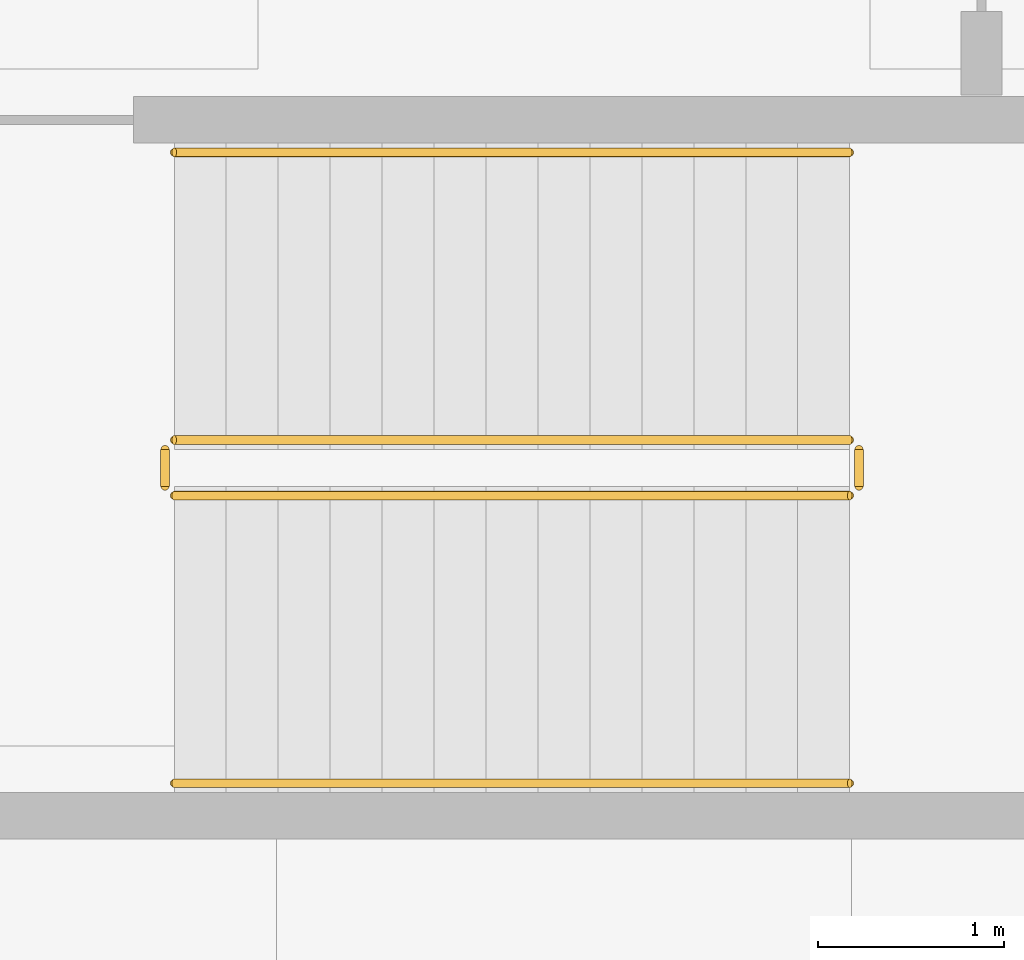
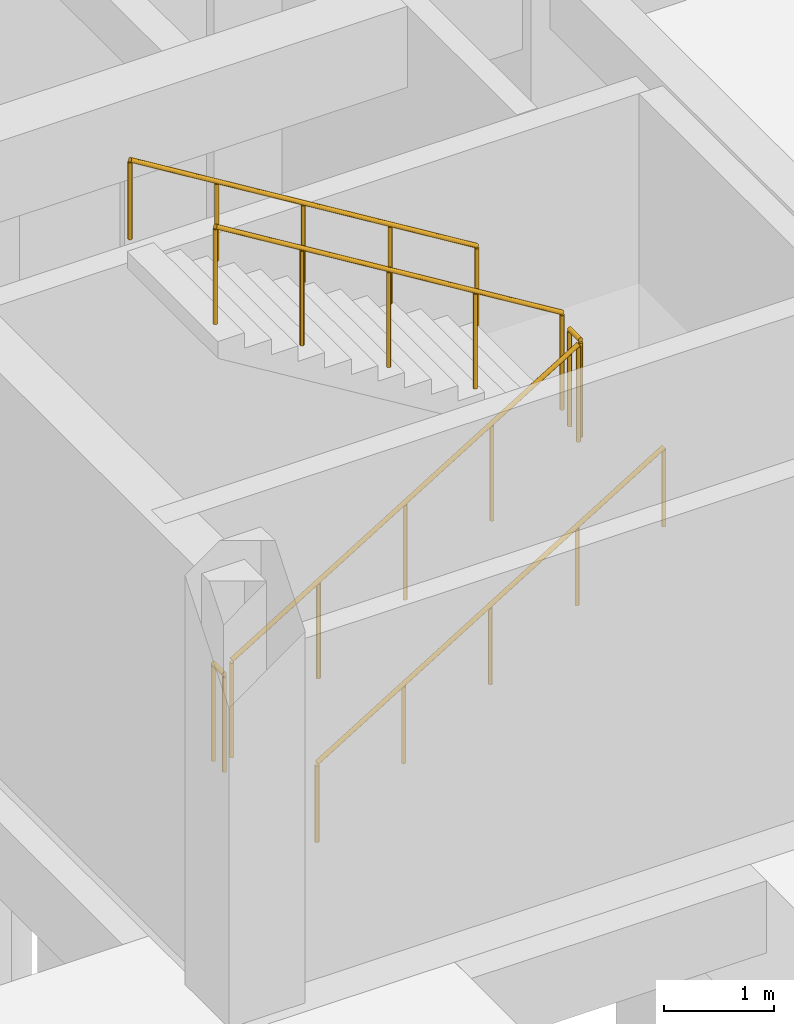
# One storey, part 34 of 38: 6 railings.
"""IFC4 building model written with IfcOpenShell, lengths in metres."""

from ifc_helpers import new_model, si_unit, direction, frame, origin, origin_2d, place, context, subcontext, project, spatial, circle, extrude, material, layer, layer_set, type_object, element, save


model = new_model("IFC4")

# Units and contexts
model_context = context("Model", 3, precision=1e-05, world=origin(), true_north=direction((0.0, 1.0)))
body_context = subcontext(model_context, "Body", "Model", "MODEL_VIEW")
ifc_project = project(units=[si_unit("LENGTHUNIT", "METRE"), si_unit("AREAUNIT", "SQUARE_METRE"), si_unit("VOLUMEUNIT", "CUBIC_METRE"), si_unit("PLANEANGLEUNIT", "RADIAN"), si_unit("MASSUNIT", "GRAM", prefix="KILO")], contexts=[model_context])

# Site, building, storey
site_placement = place(None, origin())
site = spatial("IfcSite", under=ifc_project, at=site_placement, CompositionType="ELEMENT")
building_placement = place(site_placement, origin())
building = spatial("IfcBuilding", under=site, at=building_placement, Name="Qasida Concert Hall", CompositionType="ELEMENT")
storey_placement = place(building_placement, frame((0.0, 0.0, -4.800048828125)))
storey = spatial("IfcBuildingStorey", under=building, at=storey_placement, Name="B1", CompositionType="ELEMENT", Elevation=-4.800048828125)

# Railings
ifc_material_1 = material(Name="Patinated architectural bronze and laminated glass infill", Category="glass")
ifc_layer_1 = layer(ifc_material_1, 0.080078125, Name="Patinated architectural bronze and laminated glass infill")
ifc_layer_set_1 = layer_set([ifc_layer_1], Name="Patinated architectural bronze and laminated glass infill")
railing_type_1 = type_object("IfcRailingType", Name="RL-GRD-1100", PredefinedType="GUARDRAIL", material=ifc_layer_set_1)
railing_1_placement = place(storey_placement, frame((1.64990234375, 78.10009765625, 0.17138671875)))
element("IfcRailing", 1, at=railing_1_placement, inside=storey, type_object=railing_type_1, Name="B1 ST-05 stair guard 1", PredefinedType="GUARDRAIL", context=body_context, shape_type="SweptSolid", body=[
    extrude(circle(Radius=0.02392578125, at=origin_2d()), frame((0.0, 0.0, 1.076171875), z_axis=(0.852840387347, 0.0, 0.522171689878), x_axis=(0.0, 1.0, 0.0)), (0.0, 0.0, 1.0), 4.268310546875),
    extrude(circle(Radius=0.02099609375, at=origin_2d()), origin(), (0.0, 0.0, 1.0), 1.052001953125),
    extrude(circle(Radius=0.02099609375, at=origin_2d()), frame((0.91015625, 0.0, 0.55712890625)), (0.0, 0.0, 1.0), 1.052001953125),
    extrude(circle(Radius=0.02099609375, at=origin_2d()), frame((1.820068359375, 0.0, 1.1142578125)), (0.0, 0.0, 1.0), 1.052001953125),
    extrude(circle(Radius=0.02099609375, at=origin_2d()), frame((2.72998046875, 0.0, 1.671630859375)), (0.0, 0.0, 1.0), 1.052001953125),
    extrude(circle(Radius=0.02099609375, at=origin_2d()), frame((3.64013671875, 0.0, 2.228759765625)), (0.0, 0.0, 1.0), 1.052001953125),
])
railing_2_placement = place(storey_placement, frame((5.340087890625, 78.14990234375, 2.400146484375)))
element("IfcRailing", 2, at=railing_2_placement, inside=storey, type_object=railing_type_1, Name="B1 ST-05 stair guard 2", PredefinedType="GUARDRAIL", context=body_context, shape_type="SweptSolid", body=[
    extrude(circle(Radius=0.02392578125, at=origin_2d()), frame((0.0, 0.0, 1.076171875), z_axis=(0.0, 1.0, 0.0), x_axis=(-1.0, 0.0, 0.0)), (0.0, 0.0, 1.0), 0.2001953125),
    extrude(circle(Radius=0.02099609375, at=origin_2d()), origin(), (0.0, 0.0, 1.0), 1.052001953125),
    extrude(circle(Radius=0.02099609375, at=origin_2d()), frame((0.0, 0.2001953125, 0.0)), (0.0, 0.0, 1.0), 1.052001953125),
])
railing_3_placement = place(storey_placement, frame((5.2900390625, 78.39990234375, 2.571533203125)))
element("IfcRailing", 3, at=railing_3_placement, inside=storey, type_object=railing_type_1, Name="B1 ST-05 stair guard 3", PredefinedType="GUARDRAIL", context=body_context, shape_type="SweptSolid", body=[
    extrude(circle(Radius=0.02392578125, at=origin_2d()), frame((0.0, 0.0, 1.076171875), z_axis=(-0.852865859571, 0.0, 0.52213008492), x_axis=(0.0, -1.0, 0.0)), (0.0, 0.0, 1.0), 4.26806640625),
    extrude(circle(Radius=0.02099609375, at=origin_2d()), origin(), (0.0, 0.0, 1.0), 1.052001953125),
    extrude(circle(Radius=0.02099609375, at=origin_2d()), frame((-0.91015625, 0.0, 0.55712890625)), (0.0, 0.0, 1.0), 1.052001953125),
    extrude(circle(Radius=0.02099609375, at=origin_2d()), frame((-1.820068359375, 0.0, 1.1142578125)), (0.0, 0.0, 1.0), 1.052001953125),
    extrude(circle(Radius=0.02099609375, at=origin_2d()), frame((-2.72998046875, 0.0, 1.67138671875)), (0.0, 0.0, 1.0), 1.052001953125),
    extrude(circle(Radius=0.02099609375, at=origin_2d()), frame((-3.64013671875, 0.0, 2.228515625)), (0.0, 0.0, 1.0), 1.052001953125),
])
railing_4_placement = place(storey_placement, frame((1.60009765625, 78.14990234375, 0.0)))
element("IfcRailing", 4, at=railing_4_placement, inside=storey, type_object=railing_type_1, Name="B1 ST-05 stair guard 4", PredefinedType="GUARDRAIL", context=body_context, shape_type="SweptSolid", body=[
    extrude(circle(Radius=0.02392578125, at=origin_2d()), frame((0.0, 0.0, 1.076171875), z_axis=(0.0, 1.0, 0.0), x_axis=(-1.0, 0.0, 0.0)), (0.0, 0.0, 1.0), 0.2001953125),
    extrude(circle(Radius=0.02099609375, at=origin_2d()), origin(), (0.0, 0.0, 1.0), 1.052001953125),
    extrude(circle(Radius=0.02099609375, at=origin_2d()), frame((0.0, 0.2001953125, 0.0)), (0.0, 0.0, 1.0), 1.052001953125),
])
ifc_material_2 = material(Name="Patinated tubular architectural bronze", Category="steel")
ifc_layer_2 = layer(ifc_material_2, 0.050048828125, Name="Patinated tubular architectural bronze")
ifc_layer_set_2 = layer_set([ifc_layer_2], Name="Patinated tubular architectural bronze")
railing_type_2 = type_object("IfcRailingType", Name="RL-HND-900", PredefinedType="HANDRAIL", material=ifc_layer_set_2)
railing_5_placement = place(storey_placement, frame((1.64990234375, 76.550048828125, 0.17138671875)))
element("IfcRailing", 5, at=railing_5_placement, inside=storey, type_object=railing_type_2, Name="B1 ST-05 stair handrail 1", PredefinedType="HANDRAIL", context=body_context, shape_type="SweptSolid", body=[
    extrude(circle(Radius=0.02392578125, at=origin_2d()), frame((0.0, 0.0, 0.8759765625), z_axis=(0.852840387347, 0.0, 0.522171689878), x_axis=(0.0, 1.0, 0.0)), (0.0, 0.0, 1.0), 4.268310546875),
    extrude(circle(Radius=0.02099609375, at=origin_2d()), origin(), (0.0, 0.0, 1.0), 0.851806640625),
    extrude(circle(Radius=0.02099609375, at=origin_2d()), frame((0.91015625, 0.0, 0.55712890625)), (0.0, 0.0, 1.0), 0.851806640625),
    extrude(circle(Radius=0.02099609375, at=origin_2d()), frame((1.820068359375, 0.0, 1.1142578125)), (0.0, 0.0, 1.0), 0.851806640625),
    extrude(circle(Radius=0.02099609375, at=origin_2d()), frame((2.72998046875, 0.0, 1.671630859375)), (0.0, 0.0, 1.0), 0.851806640625),
    extrude(circle(Radius=0.02099609375, at=origin_2d()), frame((3.64013671875, 0.0, 2.228759765625)), (0.0, 0.0, 1.0), 0.851806640625),
])
railing_6_placement = place(storey_placement, frame((5.2900390625, 79.949951171875, 2.571533203125)))
element("IfcRailing", 6, at=railing_6_placement, inside=storey, type_object=railing_type_2, Name="B1 ST-05 stair handrail 2", PredefinedType="HANDRAIL", context=body_context, shape_type="SweptSolid", body=[
    extrude(circle(Radius=0.02392578125, at=origin_2d()), frame((0.0, 0.0, 0.8759765625), z_axis=(-0.852865859571, 0.0, 0.52213008492), x_axis=(0.0, -1.0, 0.0)), (0.0, 0.0, 1.0), 4.26806640625),
    extrude(circle(Radius=0.02099609375, at=origin_2d()), origin(), (0.0, 0.0, 1.0), 0.851806640625),
    extrude(circle(Radius=0.02099609375, at=origin_2d()), frame((-0.91015625, 0.0, 0.55712890625)), (0.0, 0.0, 1.0), 0.851806640625),
    extrude(circle(Radius=0.02099609375, at=origin_2d()), frame((-1.820068359375, 0.0, 1.1142578125)), (0.0, 0.0, 1.0), 0.851806640625),
    extrude(circle(Radius=0.02099609375, at=origin_2d()), frame((-2.72998046875, 0.0, 1.67138671875)), (0.0, 0.0, 1.0), 0.851806640625),
    extrude(circle(Radius=0.02099609375, at=origin_2d()), frame((-3.64013671875, 0.0, 2.228515625)), (0.0, 0.0, 1.0), 0.851806640625),
])

save(model, "model.ifc")
